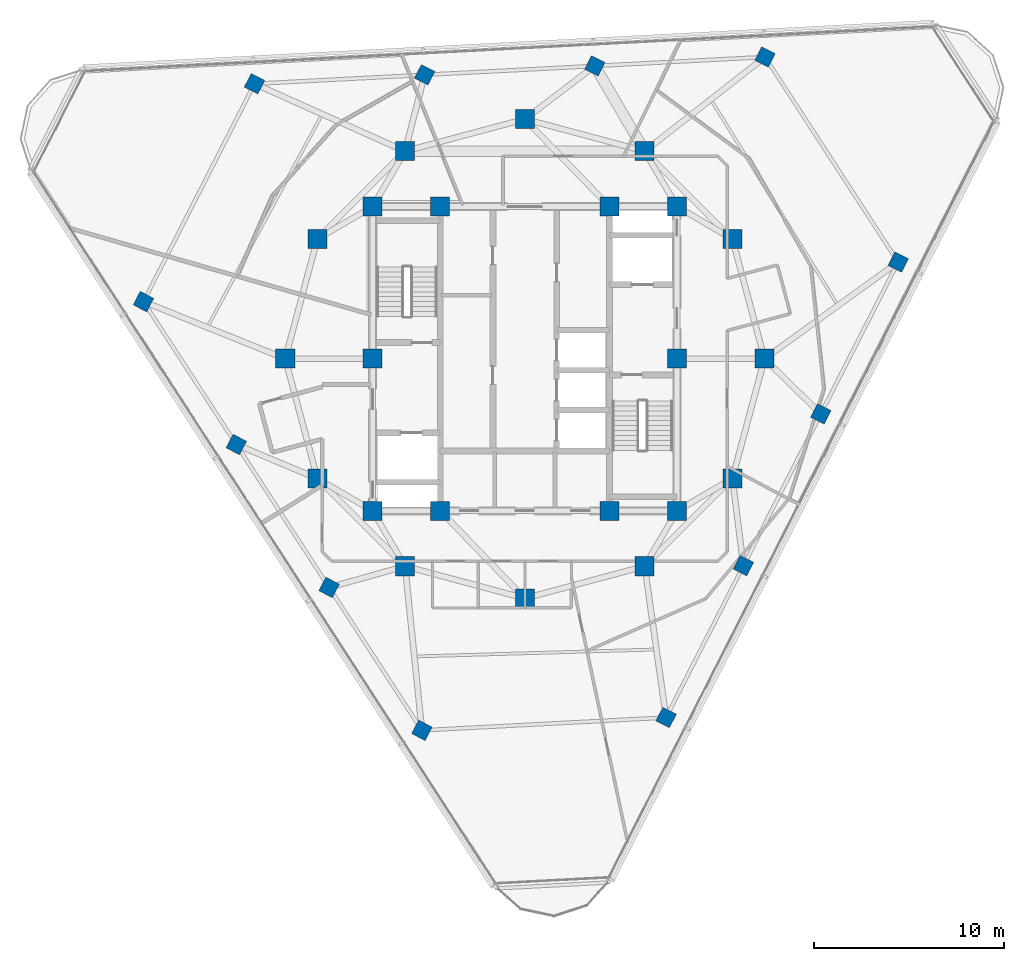
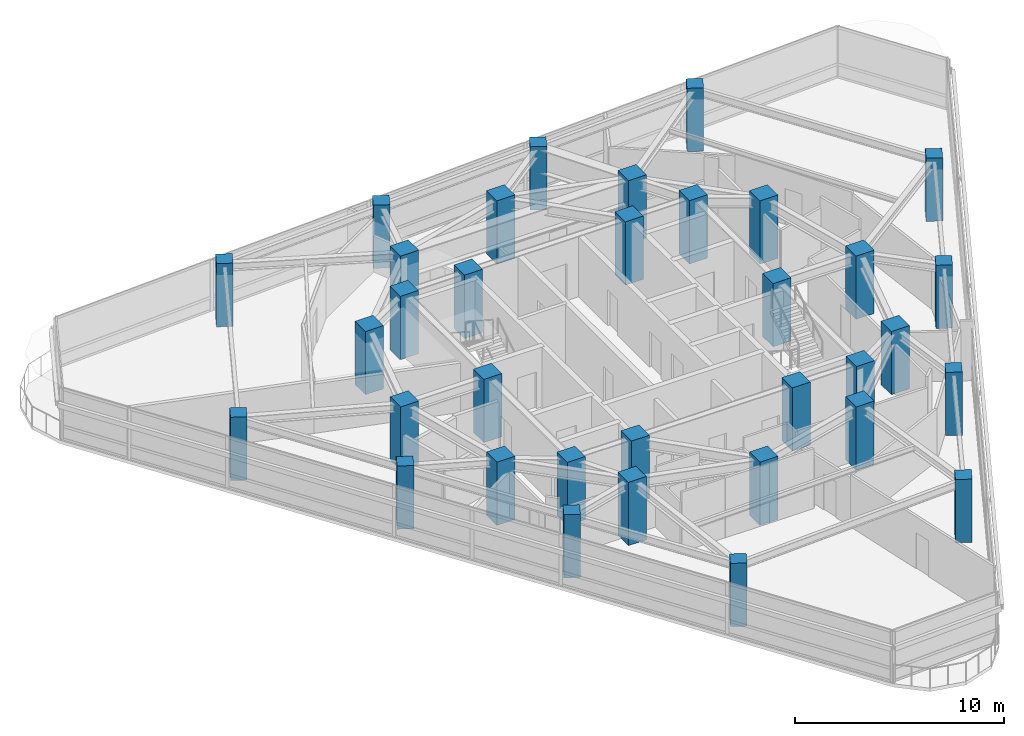
# One storey, part 1 of 15: 34 columns.
"""IFC4 building model written with IfcOpenShell, lengths in metres."""

from ifc_helpers import new_model, si_unit, direction, frame, origin, origin_2d, place, context, subcontext, project, spatial, rectangle, extrude, material, material_profile, profile_set, type_object, element, save


model = new_model("IFC4")

# Units and contexts
model_context = context("Model", 3, precision=1e-05, world=origin(), true_north=direction((0.0, 1.0)))
body_context = subcontext(model_context, "Body", "Model", "MODEL_VIEW")
ifc_project = project(units=[si_unit("LENGTHUNIT", "METRE"), si_unit("AREAUNIT", "SQUARE_METRE"), si_unit("VOLUMEUNIT", "CUBIC_METRE"), si_unit("PLANEANGLEUNIT", "RADIAN"), si_unit("MASSUNIT", "GRAM", prefix="KILO")], contexts=[model_context])

# Site, building, storey
site_placement = place(None, origin())
site = spatial("IfcSite", under=ifc_project, at=site_placement, CompositionType="ELEMENT")
building_placement = place(site_placement, origin())
building = spatial("IfcBuilding", under=site, at=building_placement, Name="Terralouvre Media Tower", CompositionType="ELEMENT")
storey_placement = place(building_placement, frame((0.0, 0.0, 267.0)))
storey = spatial("IfcBuildingStorey", under=building, at=storey_placement, Name="L69", CompositionType="ELEMENT", Elevation=267.0)

# Columns
ifc_material_1 = material(Name="Concrete C50/60", Category="concrete")
ifc_material_profile_1 = material_profile(ifc_material_1, rectangle(XDim=1.0, YDim=1.0, at=origin_2d()), Name="RC 1000x1000")
ifc_profile_set_1 = profile_set([ifc_material_profile_1], Name="Concrete C50/60")
column_type_1 = type_object("IfcColumnType", Name="Structural Column C-RC1000 (RC 1000x1000)", PredefinedType="COLUMN", material=ifc_profile_set_1)
for number, where, z_axis, x_axis, name in (
    (1, (-8.0, -8.0, 0.0), (0.0, 0.0, 1.0), (1.0, 0.0, 0.0), "L69 Core Pilaster Column CP1"),
    (2, (-4.449951171875, -8.0, 0.0), (0.0, 0.0, 1.0), (1.0, 0.0, 0.0), "L69 Core Pilaster Column CP2"),
    (3, (4.449951171875, -8.0, 0.0), (0.0, 0.0, 1.0), (1.0, 0.0, 0.0), "L69 Core Pilaster Column CP10"),
    (4, (8.0, -8.0, 0.0), (0.0, 0.0, 1.0), (1.0, 0.0, 0.0), "L69 Core Pilaster Column CP3"),
    (5, (8.0, 0.0, 0.0), (0.0, 0.0, 1.0), (1.0, 0.0, 0.0), "L69 Core Pilaster Column CP4"),
    (6, (8.0, 8.0, 0.0), (0.0, 0.0, 1.0), (1.0, 0.0, 0.0), "L69 Core Pilaster Column CP5"),
    (7, (4.449951171875, 8.0, 0.0), (0.0, 0.0, 1.0), (1.0, 0.0, 0.0), "L69 Core Pilaster Column CP9"),
    (8, (-4.449951171875, 8.0, 0.0), (0.0, 0.0, 1.0), (1.0, 0.0, 0.0), "L69 Core Pilaster Column CP6"),
    (9, (-8.0, 8.0, 0.0), (0.0, 0.0, 1.0), (1.0, 0.0, 0.0), "L69 Core Pilaster Column CP7"),
    (10, (-8.0, 0.0, 0.0), (0.0, 0.0, 1.0), (1.0, 0.0, 0.0), "L69 Core Pilaster Column CP8"),
    (11, (12.60009765625, 0.0, 0.0), (0.0, 0.0, 1.0), (1.0, 0.0, 0.0), "L69 Mega-Frame Column MC01"),
    (12, (10.911865234375, 6.300048828125, 0.0), (0.0, 0.0, 1.0), (1.0, 0.0, 0.0), "L69 Mega-Frame Column MC02"),
    (13, (6.300048828125, 10.911865234375, 0.0), (0.0, 0.0, 1.0), (1.0, 0.0, 0.0), "L69 Mega-Frame Column MC03"),
    (14, (0.0, 12.60009765625, 0.0), (0.0, 0.0, 1.0), (1.0, 0.0, 0.0), "L69 Mega-Frame Column MC04"),
    (15, (-6.300048828125, 10.911865234375, 0.0), (0.0, 0.0, 1.0), (1.0, 0.0, 0.0), "L69 Mega-Frame Column MC05"),
    (16, (-10.911865234375, 6.300048828125, 0.0), (0.0, 0.0, 1.0), (1.0, 0.0, 0.0), "L69 Mega-Frame Column MC06"),
    (17, (-12.60009765625, 0.0, 0.0), (0.0, 0.0, 1.0), (1.0, 0.0, 0.0), "L69 Mega-Frame Column MC07"),
    (18, (-10.911865234375, -6.300048828125, 0.0), (0.0, 0.0, 1.0), (1.0, 0.0, 0.0), "L69 Mega-Frame Column MC08"),
    (19, (-6.300048828125, -10.911865234375, 0.0), (0.0, 0.0, 1.0), (1.0, 0.0, 0.0), "L69 Mega-Frame Column MC09"),
    (20, (0.0, -12.60009765625, 0.0), (0.0, 0.0, 1.0), (1.0, 0.0, 0.0), "L69 Mega-Frame Column MC10"),
    (21, (6.300048828125, -10.911865234375, 0.0), (0.0, 0.0, 1.0), (1.0, 0.0, 0.0), "L69 Mega-Frame Column MC11"),
    (22, (10.911865234375, -6.300048828125, 0.0), (0.0, 0.0, 1.0), (1.0, 0.0, 0.0), "L69 Mega-Frame Column MC12"),
):
    element("IfcColumn", number, at=place(storey_placement, frame(where, z_axis=z_axis, x_axis=x_axis)), inside=storey, type_object=column_type_1, Name=name, PredefinedType="COLUMN", context=body_context, shape_type="SweptSolid", body=[
        extrude(rectangle(XDim=1.0, YDim=1.0, at=origin_2d()), origin(), (0.0, 0.0, 1.0), 3.699951171875),
    ])
ifc_material_2 = material(Name="Concrete C50/60", Category="concrete")
ifc_material_profile_2 = material_profile(ifc_material_2, rectangle(XDim=0.800048828125, YDim=0.800048828125, at=origin_2d()), Name="RC 800x800")
ifc_profile_set_2 = profile_set([ifc_material_profile_2], Name="Concrete C50/60")
column_type_2 = type_object("IfcColumnType", Name="Structural Column C-RC800 (RC 800x800)", PredefinedType="COLUMN", material=ifc_profile_set_2)
for number, where, z_axis, x_axis, name in (
    (23, (7.42626953125, -18.867919921875, 0.0), (0.0, 0.0, 1.0), (0.45399049974, 0.891006524188, 0.0), "L69 Perimeter Mega-Column PC11"),
    (24, (11.493896484375, -10.884521484375, 0.0), (0.0, 0.0, 1.0), (0.45399049974, 0.891006524188, 0.0), "L69 Perimeter Mega-Column PC12"),
    (25, (15.561767578125, -2.901123046875, 0.0), (0.0, 0.0, 1.0), (0.45399049974, 0.891006524188, 0.0), "L69 Perimeter Mega-Column PC13"),
    (26, (19.62939453125, 5.082275390625, 0.0), (0.0, 0.0, 1.0), (0.45399049974, 0.891006524188, 0.0), "L69 Perimeter Mega-Column PC14"),
    (27, (12.626953125, 15.865234375, 0.0), (0.0, 0.0, 1.0), (0.45399049974, 0.891006524188, 0.0), "L69 Perimeter Mega-Column PC21"),
    (28, (3.67919921875, 15.396240234375, 0.0), (0.0, 0.0, 1.0), (0.45399049974, 0.891006524188, 0.0), "L69 Perimeter Mega-Column PC22"),
    (29, (-5.2685546875, 14.927490234375, 0.0), (0.0, 0.0, 1.0), (0.45399049974, 0.891006524188, 0.0), "L69 Perimeter Mega-Column PC23"),
    (30, (-14.21630859375, 14.45849609375, 0.0), (0.0, 0.0, 1.0), (0.45399049974, 0.891006524188, 0.0), "L69 Perimeter Mega-Column PC24"),
    (31, (-20.05322265625, 3.002685546875, 0.0), (0.0, 0.0, 1.0), (0.45399049974, 0.891006524188, 0.0), "L69 Perimeter Mega-Column PC31"),
    (32, (-15.17333984375, -4.51171875, 0.0), (0.0, 0.0, 1.0), (0.45399049974, 0.891006524188, 0.0), "L69 Perimeter Mega-Column PC32"),
    (33, (-10.293212890625, -12.0263671875, 0.0), (0.0, 0.0, 1.0), (0.45399049974, 0.891006524188, 0.0), "L69 Perimeter Mega-Column PC33"),
    (34, (-5.413330078125, -19.540771484375, 0.0), (0.0, 0.0, 1.0), (0.45399049974, 0.891006524188, 0.0), "L69 Perimeter Mega-Column PC34"),
):
    element("IfcColumn", number, at=place(storey_placement, frame(where, z_axis=z_axis, x_axis=x_axis)), inside=storey, type_object=column_type_2, Name=name, PredefinedType="COLUMN", context=body_context, shape_type="SweptSolid", body=[
        extrude(rectangle(XDim=0.800048828125, YDim=0.800048828125, at=origin_2d()), origin(), (0.0, 0.0, 1.0), 3.699951171875),
    ])

save(model, "model.ifc")
